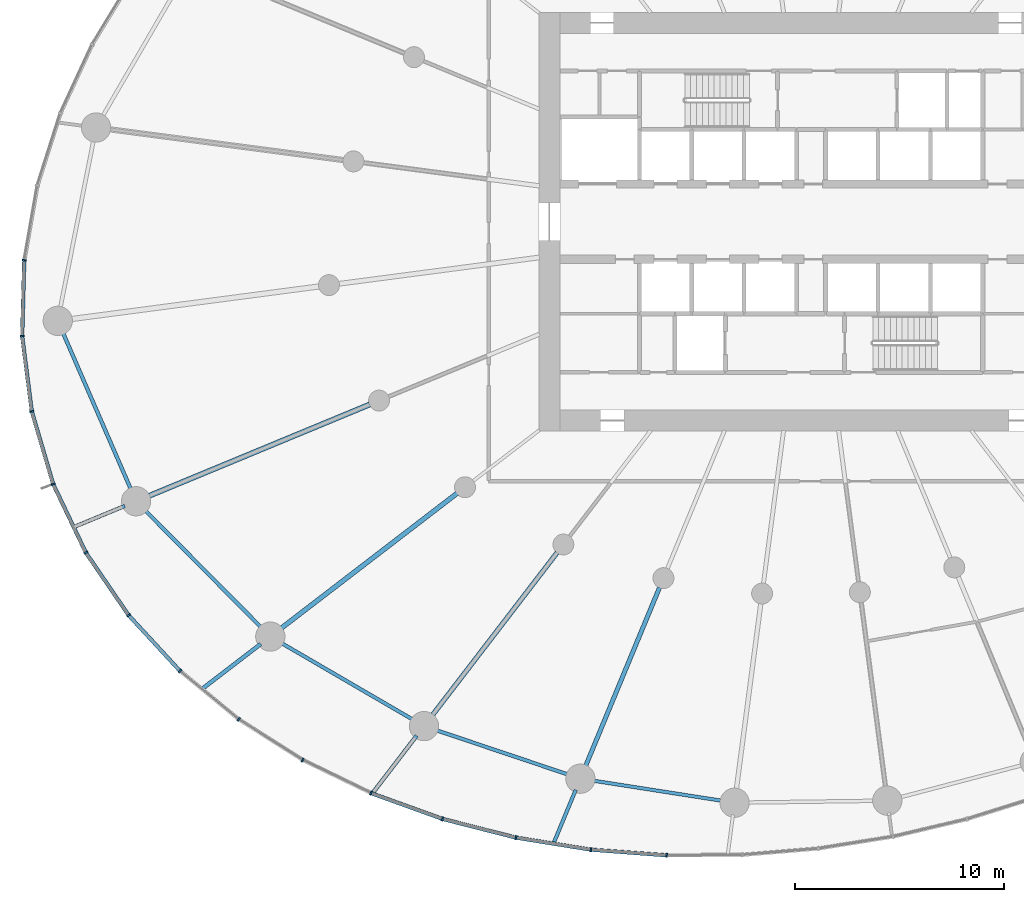
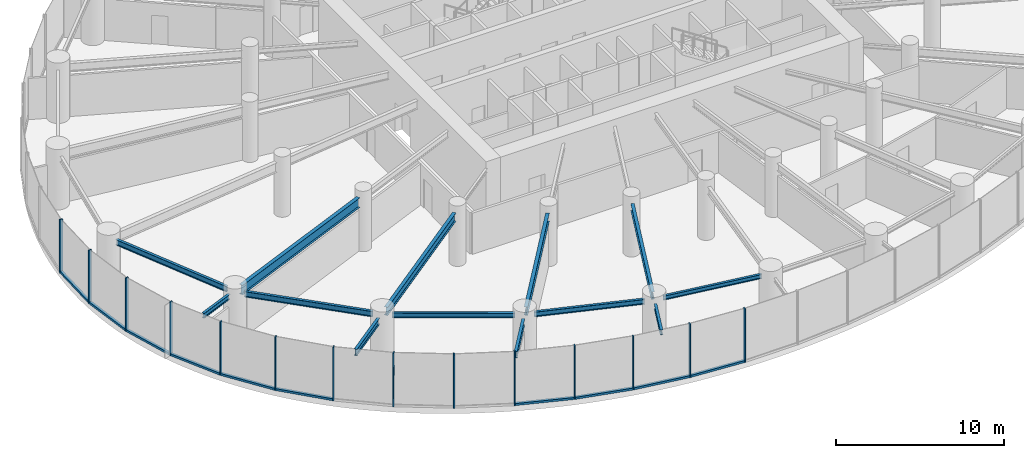
# One storey, part 2 of 18: 24 members, 13 beams, 3 elements without a shape of their own.
"""IFC4 building model written with IfcOpenShell, lengths in metres."""

from ifc_helpers import new_model, si_unit, direction, frame, origin, origin_2d, place, context, subcontext, project, spatial, rectangle, i_section, extrude, source, transform, mapped, material, layer, layer_set, material_profile, profile_set, type_object, element, aggregate, save


model = new_model("IFC4")

# Units and contexts
model_context = context("Model", 3, precision=1e-05, world=origin(), true_north=direction((0.0, 1.0)))
body_context = subcontext(model_context, "Body", "Model", "MODEL_VIEW")
ifc_project = project(units=[si_unit("LENGTHUNIT", "METRE"), si_unit("AREAUNIT", "SQUARE_METRE"), si_unit("VOLUMEUNIT", "CUBIC_METRE"), si_unit("PLANEANGLEUNIT", "RADIAN"), si_unit("MASSUNIT", "GRAM", prefix="KILO")], contexts=[model_context])

# Site, building, storey
site_placement = place(None, origin())
site = spatial("IfcSite", under=ifc_project, at=site_placement, CompositionType="ELEMENT")
building_placement = place(site_placement, origin())
building = spatial("IfcBuilding", under=site, at=building_placement, Name="Spindrift Exchange Tower", CompositionType="ELEMENT")
storey_placement = place(building_placement, frame((0.0, 0.0, 71.0)))
storey = spatial("IfcBuildingStorey", under=building, at=storey_placement, Name="L16", CompositionType="ELEMENT", Elevation=71.0)

# Beams
ifc_material_1 = material(Name="Steel Grade 300", Category="steel")
ifc_material_profile_1 = material_profile(ifc_material_1, i_section(OverallWidth=0.25, OverallDepth=0.699951171875, WebThickness=0.008056640625, FlangeThickness=0.011962890625, at=origin_2d()), Name="700WB115")
ifc_profile_set_1 = profile_set([ifc_material_profile_1], Name="Steel Grade 300")
beam_type_1 = type_object("IfcBeamType", Name="Floor Beam 700WB115 Steel Grade 300", PredefinedType="BEAM", material=ifc_profile_set_1)
shared_shape_1 = source(origin(), body_context, "Body", "SweptSolid", [
    extrude(i_section(OverallWidth=0.25, OverallDepth=0.699951171875, WebThickness=0.008056640625, FlangeThickness=0.011962890625, at=origin_2d()), origin(), (0.0, 0.0, 1.0), 11.505859375),
])
beam_1_placement = place(storey_placement, frame((30.917236328125, 39.26708984375, 3.550048828125), z_axis=(-0.923881578419, -0.38267849307, 0.0), x_axis=(0.38267849307, -0.923881578419, 0.0)))
element("IfcBeam", 1, at=beam_1_placement, inside=storey, type_object=beam_type_1, Name="L16 radial beam R14B", PredefinedType="BEAM", context=body_context, shape_type="MappedRepresentation", body=[
    mapped(shared_shape_1, transform((0.0, 0.0, 0.0), scale=1.0)),
])
ifc_material_profile_2 = material_profile(ifc_material_1, i_section(OverallWidth=0.22802734375, OverallDepth=0.60693359375, WebThickness=0.01123046875, FlangeThickness=0.017333984375, FilletRadius=0.013916015625, at=origin_2d()), Name="610UB113")
ifc_profile_set_2 = profile_set([ifc_material_profile_2], Name="Steel Grade 300")
beam_type_2 = type_object("IfcBeamType", Name="Floor Beam 610UB113 Steel Grade 300", PredefinedType="BEAM", material=ifc_profile_set_2)
shared_shape_2 = source(origin(), body_context, "Body", "SweptSolid", [
    extrude(i_section(OverallWidth=0.22802734375, OverallDepth=0.60693359375, WebThickness=0.01123046875, FlangeThickness=0.017333984375, FilletRadius=0.013916015625, at=origin_2d()), origin(), (0.0, 0.0, 1.0), 10.66357421875),
])
beam_2_placement = place(storey_placement, frame((35.08447265625, 35.020263671875, 3.596435546875), z_axis=(-0.793357926757, -0.608755451764, 0.0), x_axis=(0.608755451764, -0.793357926757, 0.0)))
element("IfcBeam", 2, at=beam_2_placement, inside=storey, type_object=beam_type_2, Name="L16 radial beam R15B", PredefinedType="BEAM", context=body_context, shape_type="MappedRepresentation", body=[
    mapped(shared_shape_2, transform((0.0, 0.0, 0.0), scale=1.0)),
])
shared_shape_3 = source(origin(), body_context, "Body", "SweptSolid", [
    extrude(i_section(OverallWidth=0.22802734375, OverallDepth=0.60693359375, WebThickness=0.01123046875, FlangeThickness=0.017333984375, FilletRadius=0.013916015625, at=origin_2d()), origin(), (0.0, 0.0, 1.0), 9.87548828125),
])
beam_3_placement = place(storey_placement, frame((39.872802734375, 32.1953125, 3.596435546875), z_axis=(-0.608772470836, -0.793344867477, 0.0), x_axis=(0.793344867477, -0.608772470836, 0.0)))
element("IfcBeam", 3, at=beam_3_placement, inside=storey, type_object=beam_type_2, Name="L16 radial beam R16B", PredefinedType="BEAM", context=body_context, shape_type="MappedRepresentation", body=[
    mapped(shared_shape_3, transform((0.0, 0.0, 0.0), scale=1.0)),
])
ifc_material_profile_3 = material_profile(ifc_material_1, i_section(OverallWidth=0.208984375, OverallDepth=0.532958984375, WebThickness=0.01025390625, FlangeThickness=0.015625, FilletRadius=0.013916015625, at=origin_2d()), Name="530UB92.4")
ifc_profile_set_3 = profile_set([ifc_material_profile_3], Name="Steel Grade 300")
beam_type_3 = type_object("IfcBeamType", Name="Floor Beam 530UB92.4 Steel Grade 300", PredefinedType="BEAM", material=ifc_profile_set_3)
shared_shape_4 = source(origin(), body_context, "Body", "SweptSolid", [
    extrude(i_section(OverallWidth=0.208984375, OverallDepth=0.532958984375, WebThickness=0.01025390625, FlangeThickness=0.015625, FilletRadius=0.013916015625, at=origin_2d()), origin(), (0.0, 0.0, 1.0), 9.309326171875),
])
beam_4_placement = place(storey_placement, frame((44.76171875, 30.525146484375, 3.633544921875), z_axis=(-0.382685326691, -0.923878747853, 0.0), x_axis=(0.923878747853, -0.382685326691, 0.0)))
element("IfcBeam", 4, at=beam_4_placement, inside=storey, type_object=beam_type_3, Name="L16 radial beam R17B", PredefinedType="BEAM", context=body_context, shape_type="MappedRepresentation", body=[
    mapped(shared_shape_4, transform((0.0, 0.0, 0.0), scale=1.0)),
])
ifc_material_profile_4 = material_profile(ifc_material_1, i_section(OverallWidth=0.177978515625, OverallDepth=0.406005859375, WebThickness=0.0078125, FlangeThickness=0.0126953125, FilletRadius=0.013916015625, at=origin_2d()), Name="410UB59.7")
ifc_profile_set_4 = profile_set([ifc_material_profile_4], Name="Steel Grade 300")
beam_type_4 = type_object("IfcBeamType", Name="Edge Beam 410UB59.7 Steel Grade 300", PredefinedType="SPANDREL", material=ifc_profile_set_4)
shared_shape_5 = source(origin(), body_context, "Body", "SweptSolid", [
    extrude(i_section(OverallWidth=0.177978515625, OverallDepth=0.406005859375, WebThickness=0.0078125, FlangeThickness=0.0126953125, FilletRadius=0.013916015625, at=origin_2d()), origin(), (0.0, 0.0, 1.0), 8.23681640625),
])
beam_5_placement = place(storey_placement, frame((16.240478515625, 42.729736328125, 3.697021484375), z_axis=(0.398186298756, -0.91730456855, 0.0), x_axis=(0.91730456855, 0.398186298756, 0.0)))
element("IfcBeam", 5, at=beam_5_placement, inside=storey, type_object=beam_type_4, Name="L16 edge beam E13", PredefinedType="SPANDREL", context=body_context, shape_type="MappedRepresentation", body=[
    mapped(shared_shape_5, transform((0.0, 0.0, 0.0), scale=1.0)),
])
shared_shape_6 = source(origin(), body_context, "Body", "SweptSolid", [
    extrude(i_section(OverallWidth=0.177978515625, OverallDepth=0.406005859375, WebThickness=0.0078125, FlangeThickness=0.0126953125, FilletRadius=0.013916015625, at=origin_2d()), origin(), (0.0, 0.0, 1.0), 7.947509765625),
])
beam_6_placement = place(storey_placement, frame((20.159423828125, 34.230224609375, 3.697021484375), z_axis=(0.704197895271, -0.710003749494, 0.0), x_axis=(0.710003749494, 0.704197895271, 0.0)))
element("IfcBeam", 6, at=beam_6_placement, inside=storey, type_object=beam_type_4, Name="L16 edge beam E14", PredefinedType="SPANDREL", context=body_context, shape_type="MappedRepresentation", body=[
    mapped(shared_shape_6, transform((0.0, 0.0, 0.0), scale=1.0)),
])
ifc_material_profile_5 = material_profile(ifc_material_1, i_section(OverallWidth=0.172119140625, OverallDepth=0.35888671875, WebThickness=0.008056640625, FlangeThickness=0.012939453125, FilletRadius=0.013916015625, at=origin_2d()), Name="360UB56.7")
ifc_profile_set_5 = profile_set([ifc_material_profile_5], Name="Steel Grade 300")
beam_type_5 = type_object("IfcBeamType", Name="Edge Beam 360UB56.7 Steel Grade 300", PredefinedType="SPANDREL", material=ifc_profile_set_5)
shared_shape_7 = source(origin(), body_context, "Body", "SweptSolid", [
    extrude(i_section(OverallWidth=0.172119140625, OverallDepth=0.35888671875, WebThickness=0.008056640625, FlangeThickness=0.012939453125, FilletRadius=0.013916015625, at=origin_2d()), origin(), (0.0, 0.0, 1.0), 7.33740234375),
])
beam_7_placement = place(storey_placement, frame((26.66552734375, 27.8837890625, 3.720458984375), z_axis=(0.864211826308, -0.503128134047, 0.0), x_axis=(0.503128134047, 0.864211826308, 0.0)))
element("IfcBeam", 7, at=beam_7_placement, inside=storey, type_object=beam_type_5, Name="L16 edge beam E15", PredefinedType="SPANDREL", context=body_context, shape_type="MappedRepresentation", body=[
    mapped(shared_shape_7, transform((0.0, 0.0, 0.0), scale=1.0)),
])
shared_shape_8 = source(origin(), body_context, "Body", "SweptSolid", [
    extrude(i_section(OverallWidth=0.172119140625, OverallDepth=0.35888671875, WebThickness=0.008056640625, FlangeThickness=0.012939453125, FilletRadius=0.013916015625, at=origin_2d()), origin(), (0.0, 0.0, 1.0), 6.72021484375),
])
beam_8_placement = place(storey_placement, frame((34.0576171875, 23.71533203125, 3.720458984375), z_axis=(0.947851749681, -0.318711563372, 0.0), x_axis=(0.318711563372, 0.947851749681, 0.0)))
element("IfcBeam", 8, at=beam_8_placement, inside=storey, type_object=beam_type_5, Name="L16 edge beam E16", PredefinedType="SPANDREL", context=body_context, shape_type="MappedRepresentation", body=[
    mapped(shared_shape_8, transform((0.0, 0.0, 0.0), scale=1.0)),
])
ifc_material_profile_6 = material_profile(ifc_material_1, i_section(OverallWidth=0.1650390625, OverallDepth=0.303955078125, WebThickness=0.006103515625, FlangeThickness=0.01025390625, FilletRadius=0.011474609375, at=origin_2d()), Name="310UB40.4")
ifc_profile_set_6 = profile_set([ifc_material_profile_6], Name="Steel Grade 300")
beam_type_6 = type_object("IfcBeamType", Name="Edge Beam 310UB40.4 Steel Grade 300", PredefinedType="SPANDREL", material=ifc_profile_set_6)
shared_shape_9 = source(origin(), body_context, "Body", "SweptSolid", [
    extrude(i_section(OverallWidth=0.1650390625, OverallDepth=0.303955078125, WebThickness=0.006103515625, FlangeThickness=0.01025390625, FilletRadius=0.011474609375, at=origin_2d()), origin(), (0.0, 0.0, 1.0), 6.297119140625),
])
beam_9_placement = place(storey_placement, frame((41.55029296875, 21.29931640625, 3.748046875), z_axis=(0.98802902915, -0.154268070436, 0.0), x_axis=(0.154268070436, 0.98802902915, 0.0)))
element("IfcBeam", 9, at=beam_9_placement, inside=storey, type_object=beam_type_6, Name="L16 edge beam E17", PredefinedType="SPANDREL", context=body_context, shape_type="MappedRepresentation", body=[
    mapped(shared_shape_9, transform((0.0, 0.0, 0.0), scale=1.0)),
])
ifc_material_profile_7 = material_profile(ifc_material_1, i_section(OverallWidth=0.172119140625, OverallDepth=0.35888671875, WebThickness=0.008056640625, FlangeThickness=0.012939453125, FilletRadius=0.013916015625, at=origin_2d()), Name="360UB56.7")
ifc_profile_set_7 = profile_set([ifc_material_profile_7], Name="Steel Grade 300")
beam_type_7 = type_object("IfcBeamType", Name="Cantilever Beam 360UB56.7 Steel Grade 300", PredefinedType="BEAM", material=ifc_profile_set_7)
shared_shape_10 = source(origin(), body_context, "Body", "SweptSolid", [
    extrude(i_section(OverallWidth=0.172119140625, OverallDepth=0.35888671875, WebThickness=0.008056640625, FlangeThickness=0.012939453125, FilletRadius=0.013916015625, at=origin_2d()), origin(), (0.0, 0.0, 1.0), 2.554443359375),
])
beam_10_placement = place(storey_placement, frame((19.21533203125, 34.420166015625, 3.720458984375), z_axis=(-0.923886374991, -0.382666912741, 0.0), x_axis=(0.382666912741, -0.923886374991, 0.0)))
element("IfcBeam", 10, at=beam_10_placement, inside=storey, type_object=beam_type_7, Name="L16 cantilever beam R14T", PredefinedType="BEAM", context=body_context, shape_type="MappedRepresentation", body=[
    mapped(shared_shape_10, transform((0.0, 0.0, 0.0), scale=1.0)),
])
ifc_material_profile_8 = material_profile(ifc_material_1, i_section(OverallWidth=0.18994140625, OverallDepth=0.45703125, WebThickness=0.009033203125, FlangeThickness=0.014404296875, FilletRadius=0.013916015625, at=origin_2d()), Name="460UB74.6")
ifc_profile_set_8 = profile_set([ifc_material_profile_8], Name="Steel Grade 300")
beam_type_8 = type_object("IfcBeamType", Name="Cantilever Beam 460UB74.6 Steel Grade 300", PredefinedType="BEAM", material=ifc_profile_set_8)
shared_shape_11 = source(origin(), body_context, "Body", "SweptSolid", [
    extrude(i_section(OverallWidth=0.18994140625, OverallDepth=0.45703125, WebThickness=0.009033203125, FlangeThickness=0.014404296875, FilletRadius=0.013916015625, at=origin_2d()), origin(), (0.0, 0.0, 1.0), 3.58544921875),
])
beam_11_placement = place(storey_placement, frame((25.704345703125, 27.822509765625, 3.67138671875), z_axis=(-0.793382740537, -0.608723111947, 0.0), x_axis=(0.608723111947, -0.793382740537, 0.0)))
element("IfcBeam", 11, at=beam_11_placement, inside=storey, type_object=beam_type_8, Name="L16 cantilever beam R15T", PredefinedType="BEAM", context=body_context, shape_type="MappedRepresentation", body=[
    mapped(shared_shape_11, transform((0.0, 0.0, 0.0), scale=1.0)),
])
shared_shape_12 = source(origin(), body_context, "Body", "SweptSolid", [
    extrude(i_section(OverallWidth=0.18994140625, OverallDepth=0.45703125, WebThickness=0.009033203125, FlangeThickness=0.014404296875, FilletRadius=0.013916015625, at=origin_2d()), origin(), (0.0, 0.0, 1.0), 3.521728515625),
])
beam_12_placement = place(storey_placement, frame((33.154541015625, 23.440185546875, 3.67138671875), z_axis=(-0.608748772801, -0.793363051581, 0.0), x_axis=(0.793363051581, -0.608748772801, 0.0)))
element("IfcBeam", 12, at=beam_12_placement, inside=storey, type_object=beam_type_8, Name="L16 cantilever beam R16T", PredefinedType="BEAM", context=body_context, shape_type="MappedRepresentation", body=[
    mapped(shared_shape_12, transform((0.0, 0.0, 0.0), scale=1.0)),
])
shared_shape_13 = source(origin(), body_context, "Body", "SweptSolid", [
    extrude(i_section(OverallWidth=0.172119140625, OverallDepth=0.35888671875, WebThickness=0.008056640625, FlangeThickness=0.012939453125, FilletRadius=0.013916015625, at=origin_2d()), origin(), (0.0, 0.0, 1.0), 2.8154296875),
])
beam_13_placement = place(storey_placement, frame((40.755126953125, 20.852783203125, 3.720458984375), z_axis=(-0.382681116099, -0.923880491937, 0.0), x_axis=(0.923880491937, -0.382681116099, 0.0)))
element("IfcBeam", 13, at=beam_13_placement, inside=storey, type_object=beam_type_7, Name="L16 cantilever beam R17T", PredefinedType="BEAM", context=body_context, shape_type="MappedRepresentation", body=[
    mapped(shared_shape_13, transform((0.0, 0.0, 0.0), scale=1.0)),
])

# Curtain wall, members
ifc_material_2 = material(Name="Fritted laminated glass with bronze frame", Category="glass")
ifc_layer = layer(ifc_material_2, 0.199951171875)
ifc_layer_set = layer_set([ifc_layer], Name="ZONE 1 BRONZE FRITTED WALL")
curtain_wall_type = type_object("IfcCurtainWallType", Name="ZONE 1 BRONZE FRITTED WALL", PredefinedType="NOTDEFINED", material=ifc_layer_set)
curtain_wall_1_placement = place(storey_placement, origin())
curtain_wall_1 = element("IfcCurtainWall", 14, at=curtain_wall_1_placement, inside=storey, type_object=curtain_wall_type, Name="L16 Zone 1 Bronze Fritted Wall run 5", PredefinedType="NOTDEFINED")
ifc_material_3 = material(Name="Bronze anodised aluminium", Category="aluminium")
ifc_material_profile_9 = material_profile(ifc_material_3, rectangle(XDim=0.179931640625, YDim=0.14990234375, at=origin_2d()), Name="ZONE 1 BRONZE FRITTED WALL TRANSOM 180X150")
ifc_profile_set_9 = profile_set([ifc_material_profile_9], Name="Bronze anodised aluminium")
member_type_1 = type_object("IfcMemberType", Name="ZONE 1 BRONZE FRITTED WALL TRANSOM 180X150", PredefinedType="USERDEFINED", material=ifc_profile_set_9)
shared_shape_14 = source(origin(), body_context, "Body", "SweptSolid", [
    extrude(rectangle(XDim=0.179931640625, YDim=0.14990234375, at=origin_2d()), origin(), (0.0, 0.0, 1.0), 3.54443359375),
])
member_1_placement = place(storey_placement, frame((14.312255859375, 42.490234375, 0.074951171875), z_axis=(0.126941907673, -0.991910153228, 0.0), x_axis=(0.991910153228, 0.126941907673, 0.0)))
member_1 = element("IfcMember", 15, at=member_1_placement, type_object=member_type_1, Name="L16 transom CW-1.29", ObjectType="TRANSOM", PredefinedType="USERDEFINED", context=body_context, shape_type="MappedRepresentation", body=[
    mapped(shared_shape_14, transform((0.0, 0.0, 0.0), scale=1.0)),
])
member_2_placement = place(storey_placement, frame((14.778564453125, 38.896484375, 0.074951171875), z_axis=(0.282199886191, -0.959355629698, 0.0), x_axis=(0.959355629698, 0.282199886191, 0.0)))
member_2 = element("IfcMember", 16, at=member_2_placement, type_object=member_type_1, Name="L16 transom CW-1.30", ObjectType="TRANSOM", PredefinedType="USERDEFINED", context=body_context, shape_type="MappedRepresentation", body=[
    mapped(shared_shape_14, transform((0.0, 0.0, 0.0), scale=1.0)),
])

# Curtain wall, member
curtain_wall_2_placement = place(storey_placement, origin())
curtain_wall_2 = element("IfcCurtainWall", 17, at=curtain_wall_2_placement, inside=storey, type_object=curtain_wall_type, Name="L16 Zone 1 Bronze Fritted Wall run 6", PredefinedType="NOTDEFINED")
member_3_placement = place(storey_placement, frame((15.807373046875, 35.421630859375, 0.074951171875), z_axis=(0.430494970919, -0.902592975828, 0.0), x_axis=(0.902592975828, 0.430494970919, 0.0)))
member_3 = element("IfcMember", 18, at=member_3_placement, type_object=member_type_1, Name="L16 transom CW-1.31", ObjectType="TRANSOM", PredefinedType="USERDEFINED", context=body_context, shape_type="MappedRepresentation", body=[
    mapped(shared_shape_14, transform((0.0, 0.0, 0.0), scale=1.0)),
])

# Curtain wall, members
curtain_wall_3_placement = place(storey_placement, origin())
curtain_wall_3 = element("IfcCurtainWall", 19, at=curtain_wall_3_placement, inside=storey, type_object=curtain_wall_type, Name="L16 Zone 1 Bronze Fritted Wall run 7", PredefinedType="NOTDEFINED")
shared_shape_15 = source(origin(), body_context, "Body", "SweptSolid", [
    extrude(rectangle(XDim=0.179931640625, YDim=0.14990234375, at=origin_2d()), origin(), (0.0, 0.0, 1.0), 3.546875),
])
member_4_placement = place(storey_placement, frame((31.011962890625, 20.683349609375, 0.074951171875), z_axis=(0.94066257369, -0.339343369552, 0.0), x_axis=(0.339343369552, 0.94066257369, 0.0)))
member_4 = element("IfcMember", 20, at=member_4_placement, type_object=member_type_1, Name="L16 transom CW-1.37", ObjectType="TRANSOM", PredefinedType="USERDEFINED", context=body_context, shape_type="MappedRepresentation", body=[
    mapped(shared_shape_15, transform((0.0, 0.0, 0.0), scale=1.0)),
])
shared_shape_16 = source(origin(), body_context, "Body", "SweptSolid", [
    extrude(rectangle(XDim=0.179931640625, YDim=0.14990234375, at=origin_2d()), origin(), (0.0, 0.0, 1.0), 3.547119140625),
])
member_5_placement = place(storey_placement, frame((34.424560546875, 19.456298828125, 0.074951171875), z_axis=(0.969060066042, -0.246825015756, 0.0), x_axis=(0.246825015756, 0.969060066042, 0.0)))
member_5 = element("IfcMember", 21, at=member_5_placement, type_object=member_type_1, Name="L16 transom CW-1.38", ObjectType="TRANSOM", PredefinedType="USERDEFINED", context=body_context, shape_type="MappedRepresentation", body=[
    mapped(shared_shape_16, transform((0.0, 0.0, 0.0), scale=1.0)),
])
member_6_placement = place(storey_placement, frame((37.940185546875, 18.564697265625, 0.074951171875), z_axis=(0.987345963658, -0.158581045679, 0.0), x_axis=(0.158581045679, 0.987345963658, 0.0)))
member_6 = element("IfcMember", 22, at=member_6_placement, type_object=member_type_1, Name="L16 transom CW-1.39", ObjectType="TRANSOM", PredefinedType="USERDEFINED", context=body_context, shape_type="MappedRepresentation", body=[
    mapped(shared_shape_16, transform((0.0, 0.0, 0.0), scale=1.0)),
])
member_7_placement = place(storey_placement, frame((41.521728515625, 17.992919921875, 0.074951171875), z_axis=(0.997223255769, -0.074469981554, 0.0), x_axis=(0.074469981554, 0.997223255769, 0.0)))
member_7 = element("IfcMember", 23, at=member_7_placement, type_object=member_type_1, Name="L16 transom CW-1.40", ObjectType="TRANSOM", PredefinedType="USERDEFINED", context=body_context, shape_type="MappedRepresentation", body=[
    mapped(shared_shape_16, transform((0.0, 0.0, 0.0), scale=1.0)),
])

# Member
shared_shape_17 = source(origin(), body_context, "Body", "SweptSolid", [
    extrude(rectangle(XDim=0.179931640625, YDim=0.14990234375, at=origin_2d()), origin(), (0.0, 0.0, 1.0), 3.545166015625),
])
member_8_placement = place(storey_placement, frame((19.421875, 29.16357421875, 0.074951171875), z_axis=(0.678056971264, -0.735009349411, 0.0), x_axis=(0.735009349411, 0.678056971264, 0.0)))
member_8 = element("IfcMember", 24, at=member_8_placement, type_object=member_type_1, Name="L16 transom CW-1.33", ObjectType="TRANSOM", PredefinedType="USERDEFINED", context=body_context, shape_type="MappedRepresentation", body=[
    mapped(shared_shape_17, transform((0.0, 0.0, 0.0), scale=1.0)),
])

shared_shape_18 = source(origin(), body_context, "Body", "SweptSolid", [
    extrude(rectangle(XDim=0.179931640625, YDim=0.14990234375, at=origin_2d()), origin(), (0.0, 0.0, 1.0), 3.544677734375),
])
member_9_placement = place(storey_placement, frame((14.40380859375, 46.113525390625, 0.074951171875), z_axis=(-0.026929736502, -0.999637328881, 0.0), x_axis=(0.999637328881, -0.026929736502, 0.0)))
member_9 = element("IfcMember", 25, at=member_9_placement, type_object=member_type_1, Name="L16 transom CW-1.28", ObjectType="TRANSOM", PredefinedType="USERDEFINED", context=body_context, shape_type="MappedRepresentation", body=[
    mapped(shared_shape_18, transform((0.0, 0.0, 0.0), scale=1.0)),
])

member_10_placement = place(storey_placement, frame((17.373046875, 32.1533203125, 0.074951171875), z_axis=(0.563947899035, -0.825810369984, 0.0), x_axis=(0.825810369984, 0.563947899035, 0.0)))
member_10 = element("IfcMember", 26, at=member_10_placement, type_object=member_type_1, Name="L16 transom CW-1.32", ObjectType="TRANSOM", PredefinedType="USERDEFINED", context=body_context, shape_type="MappedRepresentation", body=[
    mapped(shared_shape_18, transform((0.0, 0.0, 0.0), scale=1.0)),
])

ifc_material_profile_10 = material_profile(ifc_material_3, rectangle(XDim=0.080078125, YDim=0.199951171875, at=origin_2d()), Name="ZONE 1 BRONZE FRITTED WALL MULLION 80X200")
ifc_profile_set_10 = profile_set([ifc_material_profile_10], Name="Bronze anodised aluminium")
member_type_2 = type_object("IfcMemberType", Name="ZONE 1 BRONZE FRITTED WALL MULLION 80X200", PredefinedType="MULLION", material=ifc_profile_set_10)
shared_shape_19 = source(origin(), body_context, "Body", "SweptSolid", [
    extrude(rectangle(XDim=0.080078125, YDim=0.199951171875, at=origin_2d()), origin(), (0.0, 0.0, 1.0), 3.89990234375),
])
member_11_placement = place(storey_placement, frame((14.40478515625, 46.1533203125, 0.0), z_axis=(0.0, 0.0, 1.0), x_axis=(-0.099736726491, -0.995013861908, 0.0)))
member_11 = element("IfcMember", 27, at=member_11_placement, type_object=member_type_2, Name="L16 mullion CW-1.28", PredefinedType="MULLION", context=body_context, shape_type="MappedRepresentation", body=[
    mapped(shared_shape_19, transform((0.0, 0.0, 0.0), scale=1.0)),
])

member_12_placement = place(storey_placement, frame((14.30712890625, 42.530029296875, 0.0), z_axis=(0.0, 0.0, 1.0), x_axis=(0.050142681018, -0.998742064569, 0.0)))
member_12 = element("IfcMember", 28, at=member_12_placement, type_object=member_type_2, Name="L16 mullion CW-1.29", PredefinedType="MULLION", context=body_context, shape_type="MappedRepresentation", body=[
    mapped(shared_shape_19, transform((0.0, 0.0, 0.0), scale=1.0)),
])

member_13_placement = place(storey_placement, frame((14.76708984375, 38.934814453125, 0.0), z_axis=(0.0, 0.0, 1.0), x_axis=(0.205232156356, -0.978713319618, 0.0)))
member_13 = element("IfcMember", 29, at=member_13_placement, type_object=member_type_2, Name="L16 mullion CW-1.30", PredefinedType="MULLION", context=body_context, shape_type="MappedRepresentation", body=[
    mapped(shared_shape_19, transform((0.0, 0.0, 0.0), scale=1.0)),
])

aggregate(curtain_wall_1, [member_11, member_9, member_12, member_1, member_13, member_2])

member_14_placement = place(storey_placement, frame((15.790283203125, 35.457763671875, 0.0), z_axis=(0.0, 0.0, 1.0), x_axis=(0.357485273364, -0.933918775552, 0.0)))
member_14 = element("IfcMember", 30, at=member_14_placement, type_object=member_type_2, Name="L16 mullion CW-1.31", PredefinedType="MULLION", context=body_context, shape_type="MappedRepresentation", body=[
    mapped(shared_shape_19, transform((0.0, 0.0, 0.0), scale=1.0)),
])

member_15_placement = place(storey_placement, frame((17.350341796875, 32.186279296875, 0.0), z_axis=(0.0, 0.0, 1.0), x_axis=(0.498701378505, -0.866773866171, 0.0)))
member_15 = element("IfcMember", 31, at=member_15_placement, type_object=member_type_2, Name="L16 mullion CW-1.32", PredefinedType="MULLION", context=body_context, shape_type="MappedRepresentation", body=[
    mapped(shared_shape_19, transform((0.0, 0.0, 0.0), scale=1.0)),
])

member_16_placement = place(storey_placement, frame((19.394775390625, 29.193115234375, 0.0), z_axis=(0.0, 0.0, 1.0), x_axis=(0.62268744143, -0.782470670559, 0.0)))
member_16 = element("IfcMember", 32, at=member_16_placement, type_object=member_type_2, Name="L16 mullion CW-1.33", PredefinedType="MULLION", context=body_context, shape_type="MappedRepresentation", body=[
    mapped(shared_shape_19, transform((0.0, 0.0, 0.0), scale=1.0)),
])

member_17_placement = place(storey_placement, frame((21.852783203125, 26.528564453125, 0.0), z_axis=(0.0, 0.0, 1.0), x_axis=(0.726313033556, -0.687364079136, 0.0)))
member_17 = element("IfcMember", 33, at=member_17_placement, type_object=member_type_2, Name="L16 mullion CW-1.34", PredefinedType="MULLION", context=body_context, shape_type="MappedRepresentation", body=[
    mapped(shared_shape_19, transform((0.0, 0.0, 0.0), scale=1.0)),
])

member_18_placement = place(storey_placement, frame((24.64892578125, 24.220458984375, 0.0), z_axis=(0.0, 0.0, 1.0), x_axis=(0.809370242849, -0.587298739987, 0.0)))
member_18 = element("IfcMember", 34, at=member_18_placement, type_object=member_type_2, Name="L16 mullion CW-1.35", PredefinedType="MULLION", context=body_context, shape_type="MappedRepresentation", body=[
    mapped(shared_shape_19, transform((0.0, 0.0, 0.0), scale=1.0)),
])

member_19_placement = place(storey_placement, frame((27.710693359375, 22.27783203125, 0.0), z_axis=(0.0, 0.0, 1.0), x_axis=(0.873599120204, -0.486646254664, 0.0)))
member_19 = element("IfcMember", 35, at=member_19_placement, type_object=member_type_2, Name="L16 mullion CW-1.36", PredefinedType="MULLION", context=body_context, shape_type="MappedRepresentation", body=[
    mapped(shared_shape_19, transform((0.0, 0.0, 0.0), scale=1.0)),
])

aggregate(curtain_wall_2, [member_14, member_3, member_15, member_10, member_16, member_8, member_17, member_18, member_19])

member_20_placement = place(storey_placement, frame((30.974365234375, 20.697021484375, 0.0), z_axis=(0.0, 0.0, 1.0), x_axis=(0.921573562277, -0.388203772924, 0.0)))
member_20 = element("IfcMember", 36, at=member_20_placement, type_object=member_type_2, Name="L16 mullion CW-1.37", PredefinedType="MULLION", context=body_context, shape_type="MappedRepresentation", body=[
    mapped(shared_shape_19, transform((0.0, 0.0, 0.0), scale=1.0)),
])

member_21_placement = place(storey_placement, frame((34.385986328125, 19.466064453125, 0.0), z_axis=(0.0, 0.0, 1.0), x_axis=(0.955981708987, -0.29342626345, 0.0)))
member_21 = element("IfcMember", 37, at=member_21_placement, type_object=member_type_2, Name="L16 mullion CW-1.38", PredefinedType="MULLION", context=body_context, shape_type="MappedRepresentation", body=[
    mapped(shared_shape_19, transform((0.0, 0.0, 0.0), scale=1.0)),
])

member_22_placement = place(storey_placement, frame((37.900634765625, 18.571044921875, 0.0), z_axis=(0.0, 0.0, 1.0), x_axis=(0.979203111429, -0.202882395902, 0.0)))
member_22 = element("IfcMember", 38, at=member_22_placement, type_object=member_type_2, Name="L16 mullion CW-1.39", PredefinedType="MULLION", context=body_context, shape_type="MappedRepresentation", body=[
    mapped(shared_shape_19, transform((0.0, 0.0, 0.0), scale=1.0)),
])

member_23_placement = place(storey_placement, frame((41.481689453125, 17.995849609375, 0.0), z_axis=(0.0, 0.0, 1.0), x_axis=(0.993177078018, -0.116616001041, 0.0)))
member_23 = element("IfcMember", 39, at=member_23_placement, type_object=member_type_2, Name="L16 mullion CW-1.40", PredefinedType="MULLION", context=body_context, shape_type="MappedRepresentation", body=[
    mapped(shared_shape_19, transform((0.0, 0.0, 0.0), scale=1.0)),
])

member_24_placement = place(storey_placement, frame((45.098876953125, 17.725830078125, 0.0), z_axis=(0.0, 0.0, 1.0), x_axis=(0.999411686098, -0.034296963291, 0.0)))
member_24 = element("IfcMember", 40, at=member_24_placement, type_object=member_type_2, Name="L16 mullion CW-1.41", PredefinedType="MULLION", context=body_context, shape_type="MappedRepresentation", body=[
    mapped(shared_shape_19, transform((0.0, 0.0, 0.0), scale=1.0)),
])

aggregate(curtain_wall_3, [member_20, member_4, member_21, member_5, member_22, member_6, member_23, member_7, member_24])

save(model, "model.ifc")
